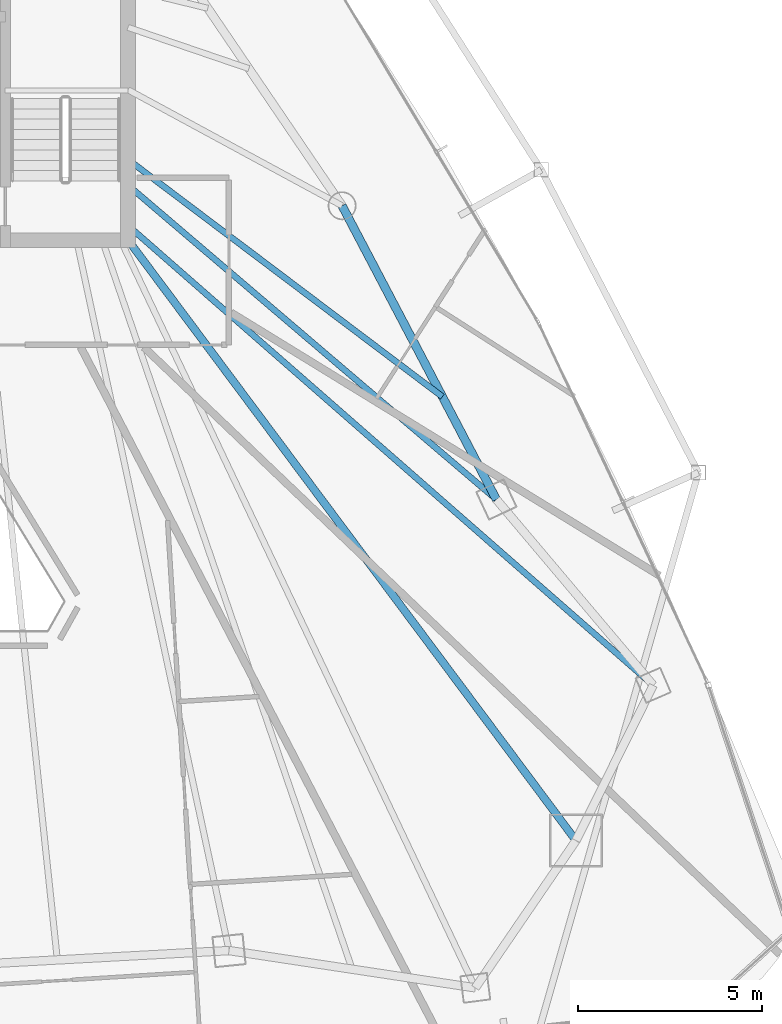
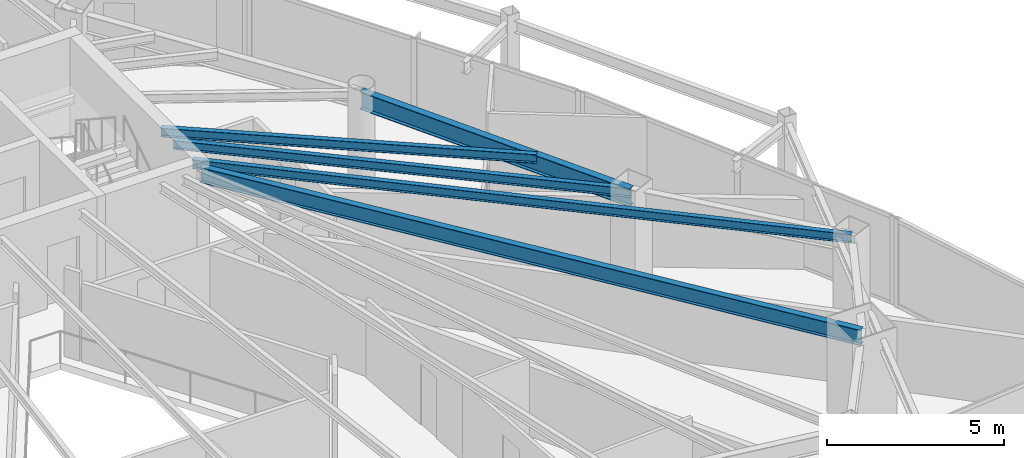
# One storey, part 16 of 29: 5 beams.
"""IFC4 building model written with IfcOpenShell, lengths in metres."""

from ifc_helpers import new_model, si_unit, direction, frame, origin, origin_2d, place, context, subcontext, project, spatial, i_section, extrude, material, material_profile, profile_set, type_object, element, save


model = new_model("IFC4")

# Units and contexts
model_context = context("Model", 3, precision=1e-05, world=origin(), true_north=direction((0.0, 1.0)))
body_context = subcontext(model_context, "Body", "Model", "MODEL_VIEW")
ifc_project = project(units=[si_unit("LENGTHUNIT", "METRE"), si_unit("AREAUNIT", "SQUARE_METRE"), si_unit("VOLUMEUNIT", "CUBIC_METRE"), si_unit("PLANEANGLEUNIT", "RADIAN"), si_unit("MASSUNIT", "GRAM", prefix="KILO")], contexts=[model_context])

# Site, building, storey
site_placement = place(None, origin())
site = spatial("IfcSite", under=ifc_project, at=site_placement, CompositionType="ELEMENT")
building_placement = place(site_placement, origin())
building = spatial("IfcBuilding", under=site, at=building_placement, Name="Orvanel Arch Residences", CompositionType="ELEMENT")
storey_placement = place(building_placement, frame((0.0, 0.0, 173.75)))
storey = spatial("IfcBuildingStorey", under=building, at=storey_placement, Name="L49", CompositionType="ELEMENT", Elevation=173.75)

# Beams
ifc_material = material(Name="Structural steel AS/NZS 3679.1 Grade 300 (300 MPa)", Category="steel")
ifc_material_profile_1 = material_profile(ifc_material, i_section(OverallWidth=0.208984375, OverallDepth=0.532958984375, WebThickness=0.01025390625, FlangeThickness=0.015625, at=origin_2d()), Name="530UB92.4")
ifc_profile_set_1 = profile_set([ifc_material_profile_1], Name="Structural steel AS/NZS 3679.1 Grade 300 (300 MPa)")
beam_type_1 = type_object("IfcBeamType", Name="BG-530UB", PredefinedType="BEAM", material=ifc_profile_set_1)
beam_1_placement = place(storey_placement, frame((39.625, 26.675048828125, 2.79296875), z_axis=(0.597893733742, -0.801575375839, 0.0), x_axis=(0.801575375839, 0.597893733742, 0.0)))
element("IfcBeam", 1, at=beam_1_placement, inside=storey, type_object=beam_type_1, Name="L49 South-East Radial Girder", PredefinedType="BEAM", context=body_context, shape_type="SweptSolid", body=[
    extrude(i_section(OverallWidth=0.208984375, OverallDepth=0.532958984375, WebThickness=0.01025390625, FlangeThickness=0.015625, at=origin_2d()), origin(), (0.0, 0.0, 1.0), 20.36474609375),
])
ifc_material_profile_2 = material_profile(ifc_material, i_section(OverallWidth=0.1650390625, OverallDepth=0.303955078125, WebThickness=0.006103515625, FlangeThickness=0.01025390625, at=origin_2d()), Name="310UB40.4")
ifc_profile_set_2 = profile_set([ifc_material_profile_2], Name="Structural steel AS/NZS 3679.1 Grade 300 (300 MPa)")
beam_type_2 = type_object("IfcBeamType", Name="BJ-310UB", PredefinedType="JOIST", material=ifc_profile_set_2)
beam_2_placement = place(storey_placement, frame((39.60009765625, 28.199951171875, 2.907958984375), z_axis=(0.760821315761, -0.648961420644, 0.0), x_axis=(0.648961420644, 0.760821315761, 0.0)))
element("IfcBeam", 2, at=beam_2_placement, inside=storey, type_object=beam_type_2, Name="L49 E Wing Floor Joist", PredefinedType="JOIST", context=body_context, shape_type="SweptSolid", body=[
    extrude(i_section(OverallWidth=0.1650390625, OverallDepth=0.303955078125, WebThickness=0.006103515625, FlangeThickness=0.01025390625, at=origin_2d()), origin(), (0.0, 0.0, 1.0), 13.18701171875),
])
beam_3_placement = place(storey_placement, frame((39.60009765625, 27.10009765625, 2.907958984375), z_axis=(0.752493154183, -0.658600070534, 0.0), x_axis=(0.658600070534, 0.752493154183, 0.0)))
element("IfcBeam", 3, at=beam_3_placement, inside=storey, type_object=beam_type_2, Name="L49 ME Wing Floor Joist", PredefinedType="JOIST", context=body_context, shape_type="SweptSolid", body=[
    extrude(i_section(OverallWidth=0.1650390625, OverallDepth=0.303955078125, WebThickness=0.006103515625, FlangeThickness=0.01025390625, at=origin_2d()), origin(), (0.0, 0.0, 1.0), 19.010009765625),
])
beam_4_placement = place(storey_placement, frame((39.60009765625, 28.89990234375, 2.907958984375), z_axis=(0.798363428886, -0.602175917334, 0.0), x_axis=(0.602175917334, 0.798363428886, 0.0)))
element("IfcBeam", 4, at=beam_4_placement, inside=storey, type_object=beam_type_2, Name="L49 CTE Wing Floor Joist", PredefinedType="JOIST", context=body_context, shape_type="SweptSolid", body=[
    extrude(i_section(OverallWidth=0.1650390625, OverallDepth=0.303955078125, WebThickness=0.006103515625, FlangeThickness=0.01025390625, at=origin_2d()), origin(), (0.0, 0.0, 1.0), 10.724365234375),
])
ifc_material_profile_3 = material_profile(ifc_material, i_section(OverallWidth=0.22900390625, OverallDepth=0.612060546875, WebThickness=0.011962890625, FlangeThickness=0.01953125, at=origin_2d()), Name="610UB125")
ifc_profile_set_3 = profile_set([ifc_material_profile_3], Name="Structural steel AS/NZS 3679.1 Grade 300 (300 MPa)")
beam_type_3 = type_object("IfcBeamType", Name="SP-610UB", PredefinedType="SPANDREL", material=ifc_profile_set_3)
beam_5_placement = place(storey_placement, frame((49.633056640625, 19.64208984375, 2.75390625), z_axis=(-0.465064762793, 0.885276660942, 0.0), x_axis=(-0.885276660942, -0.465064762793, 0.0)))
element("IfcBeam", 5, at=beam_5_placement, inside=storey, type_object=beam_type_3, Name="L49 Perimeter Spandrel Beam 11", PredefinedType="SPANDREL", context=body_context, shape_type="SweptSolid", body=[
    extrude(i_section(OverallWidth=0.22900390625, OverallDepth=0.612060546875, WebThickness=0.011962890625, FlangeThickness=0.01953125, at=origin_2d()), origin(), (0.0, 0.0, 1.0), 9.03564453125),
])

save(model, "model.ifc")
